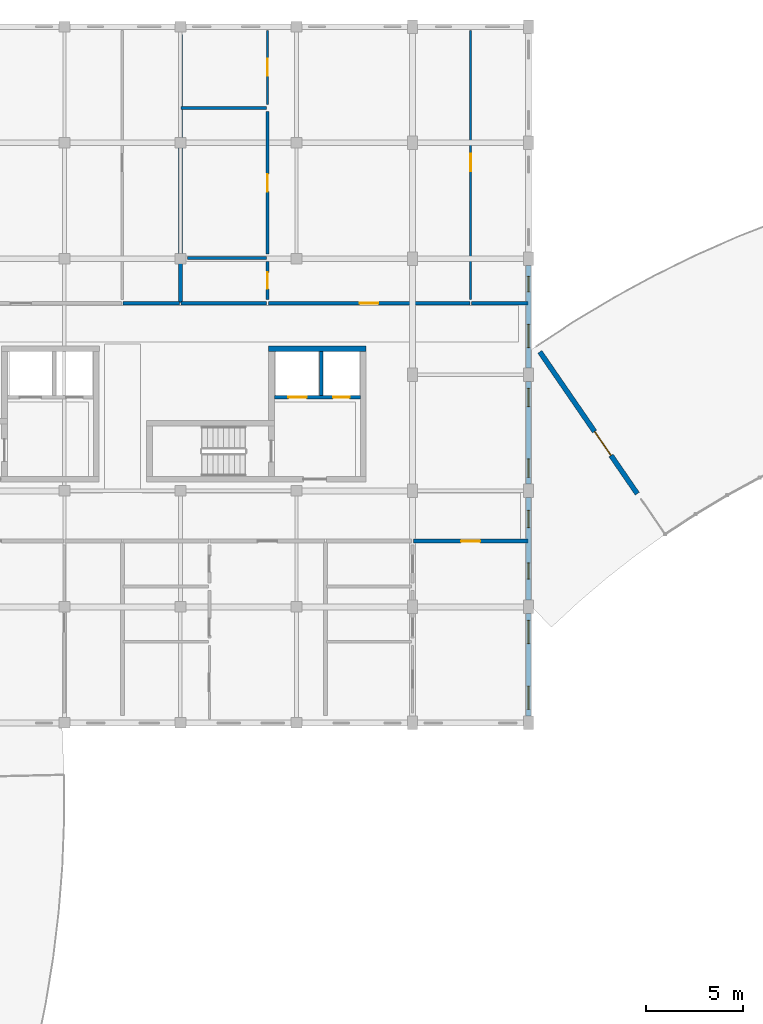
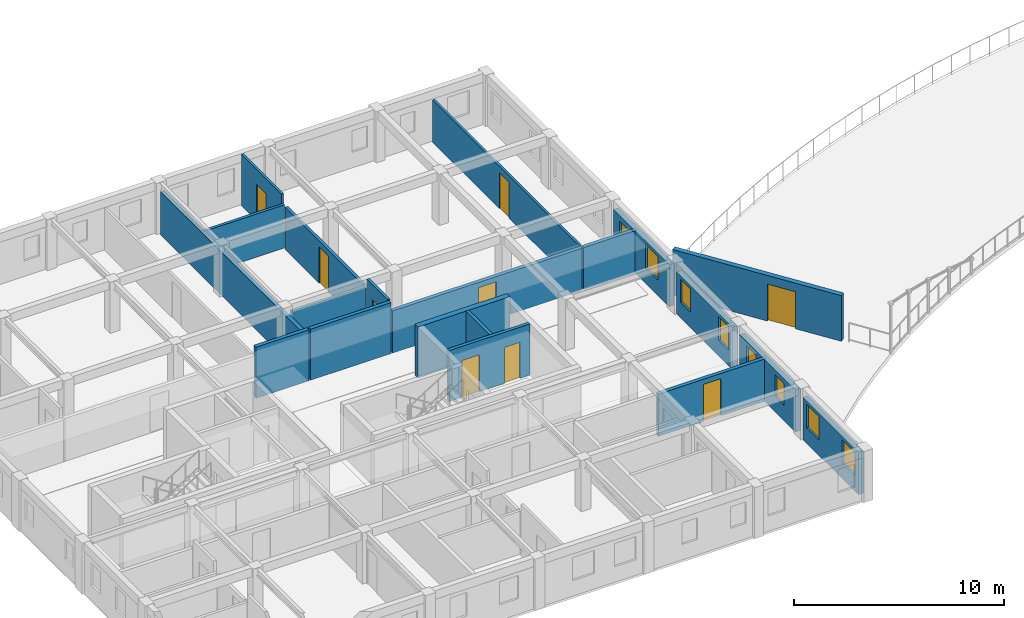
# One storey, part 37 of 58: 20 walls, 9 doors, 8 windows, 17 openings.
"""IFC4 building model written with IfcOpenShell, lengths in metres."""

from ifc_helpers import new_model, si_unit, direction, frame, frame_2d, origin, place, context, subcontext, project, spatial, rectangle, extrude, material, layer, layer_set, type_object, element, fill, save


model = new_model("IFC4")

# Units and contexts
model_context = context("Model", 3, precision=1e-05, world=origin(), true_north=direction((0.0, 1.0)))
body_context = subcontext(model_context, "Body", "Model", "MODEL_VIEW")
ifc_project = project(units=[si_unit("LENGTHUNIT", "METRE"), si_unit("AREAUNIT", "SQUARE_METRE"), si_unit("VOLUMEUNIT", "CUBIC_METRE"), si_unit("PLANEANGLEUNIT", "RADIAN"), si_unit("MASSUNIT", "GRAM", prefix="KILO"), si_unit("POWERUNIT", "WATT"), si_unit("THERMODYNAMICTEMPERATUREUNIT", "KELVIN")], contexts=[model_context])

# Site, building, storey
site_placement = place(None, origin())
site = spatial("IfcSite", under=ifc_project, at=site_placement, CompositionType="ELEMENT")
building_placement = place(site_placement, origin())
building = spatial("IfcBuilding", under=site, at=building_placement, Name="Ruvembo Vaulted Housing Court", CompositionType="ELEMENT")
storey_placement = place(building_placement, frame((0.0, 0.0, 20.5)))
storey = spatial("IfcBuildingStorey", under=building, at=storey_placement, Name="L06", CompositionType="ELEMENT", Elevation=20.5)

# Wall
ifc_material_1 = material(Name="Concrete C35/45", Category="concrete")
ifc_layer_1 = layer(ifc_material_1, 0.300048828125, Name="Concrete C35/45")
ifc_layer_set_1 = layer_set([ifc_layer_1], Name="Concrete C35/45")
wall_type_1 = type_object("IfcWallType", Name="WL-CORE-300", PredefinedType="SHEAR", material=ifc_layer_set_1)
wall_1_placement = place(storey_placement, frame((75.60009765625, 97.35009765625, 0.0), z_axis=(0.0, 0.0, 1.0), x_axis=(-1.0, 0.0, 0.0)))
element("IfcWall", 1, at=wall_1_placement, inside=storey, type_object=wall_type_1, Name="Core B2 L06 North Shear Wall", PredefinedType="SHEAR", context=body_context, shape_type="SweptSolid", body=[
    extrude(rectangle(XDim=5.050048828125, YDim=0.300048828125, at=frame_2d((2.52490234375, 0.0))), origin(), (0.0, 0.0, 1.0), 2.969970703125),
])

# Wall, opening, door
ifc_material_2 = material(Name="Concrete Blockwork 200", Category="masonry")
ifc_layer_2 = layer(ifc_material_2, 0.199951171875, Name="Concrete Blockwork 200")
ifc_layer_set_2 = layer_set([ifc_layer_2], Name="Concrete Blockwork 200")
wall_type_2 = type_object("IfcWallType", Name="WL-CORR-200", PredefinedType="SOLIDWALL", material=ifc_layer_set_2)
wall_2_placement = place(storey_placement, frame((78.0400390625, 87.39990234375, 0.0), z_axis=(0.0, 0.0, 1.0), x_axis=(1.0, 0.0, 0.0)))
wall_2 = element("IfcWall", 2, at=wall_2_placement, inside=storey, type_object=wall_type_2, Name="L06 Flat B-L06-S3 Entrance WL-INT-L06-01753", PredefinedType="SOLIDWALL", context=body_context, shape_type="SweptSolid", body=[
    extrude(rectangle(XDim=5.919921875, YDim=0.199951171875, at=frame_2d((2.9599609375, 0.0))), origin(), (0.0, 0.0, 1.0), 2.451904296875),
])
opening_1_placement = place(wall_2_placement, frame((2.469970703125, 0.0, 0.0)))
opening_1 = element("IfcOpeningElement", 3, at=opening_1_placement, cuts=wall_2, Name="Opening FD2", PredefinedType="OPENING", context=body_context, shape_type="SweptSolid", body=[
    extrude(rectangle(XDim=0.97998046875, YDim=2.14990234375, at=frame_2d((0.489990234375, 1.074951171875))), frame((0.0, 0.10986328125, 0.0), z_axis=(0.0, -1.0, 0.0), x_axis=(1.0, 0.0, 0.0)), (0.0, 0.0, 1.0), 0.219970703125),
])
ifc_material_3 = material(Name="FSC Hardwood and Engineered Timber", Category="wood")
door_type_1 = type_object("IfcDoorType", Name="DR-FLAT-0980x2150", OperationType="NOTDEFINED", PredefinedType="DOOR", material=ifc_material_3)
door_1_placement = place(opening_1_placement, origin())
door_1 = element("IfcDoor", 4, at=door_1_placement, inside=storey, type_object=door_type_1, Name="L06 Flat B-L06-S3 Entrance Door DR-INT-L06-00991", OperationType="SINGLE_SWING_LEFT", OverallHeight=2.14990234375, OverallWidth=0.97998046875, PredefinedType="DOOR", context=body_context, shape_type="SweptSolid", body=[
    extrude(rectangle(XDim=0.97998046875, YDim=2.14990234375, at=frame_2d((0.489990234375, 1.074951171875))), frame((0.0, 0.02490234375, 0.0), z_axis=(0.0, -1.0, 0.0), x_axis=(1.0, 0.0, 0.0)), (0.0, 0.0, 1.0), 0.050048828125),
])
fill(opening_1, door_1)

# Walls
wall_3_placement = place(storey_placement, frame((63.0400390625, 99.699951171875, 0.0), z_axis=(0.0, 0.0, 1.0), x_axis=(1.0, 0.0, 0.0)))
element("IfcWall", 5, at=wall_3_placement, inside=storey, type_object=wall_type_2, Name="L06 Flat B-L06-N1 Corridor Wall 2 WL-INT-L06-01767", PredefinedType="SOLIDWALL", context=body_context, shape_type="SweptSolid", body=[
    extrude(rectangle(XDim=2.919921875, YDim=0.199951171875, at=frame_2d((1.4599609375, 0.0))), origin(), (0.0, 0.0, 1.0), 2.969970703125),
])
wall_4_placement = place(storey_placement, frame((66.0400390625, 99.699951171875, 0.0), z_axis=(0.0, 0.0, 1.0), x_axis=(1.0, 0.0, 0.0)))
element("IfcWall", 6, at=wall_4_placement, inside=storey, type_object=wall_type_2, Name="L06 Flat B-L06-N2 Corridor Wall WL-INT-L06-01769", PredefinedType="SOLIDWALL", context=body_context, shape_type="SweptSolid", body=[
    extrude(rectangle(XDim=4.419921875, YDim=0.199951171875, at=frame_2d((2.2099609375, 0.0))), origin(), (0.0, 0.0, 1.0), 2.969970703125),
])

# Wall, opening, door
wall_5_placement = place(storey_placement, frame((70.5400390625, 99.699951171875, 0.0), z_axis=(0.0, 0.0, 1.0), x_axis=(1.0, 0.0, 0.0)))
wall_5 = element("IfcWall", 7, at=wall_5_placement, inside=storey, type_object=wall_type_2, Name="L06 Flat B-L06-N2 Entrance WL-INT-L06-01770", PredefinedType="SOLIDWALL", context=body_context, shape_type="SweptSolid", body=[
    extrude(rectangle(XDim=10.419921875, YDim=0.199951171875, at=frame_2d((5.2099609375, 0.0))), origin(), (0.0, 0.0, 1.0), 2.451904296875),
])
opening_2_placement = place(wall_5_placement, frame((4.719970703125, 0.0, 0.0)))
opening_2 = element("IfcOpeningElement", 8, at=opening_2_placement, cuts=wall_5, Name="Opening FD2", PredefinedType="OPENING", context=body_context, shape_type="SweptSolid", body=[
    extrude(rectangle(XDim=0.97998046875, YDim=2.14990234375, at=frame_2d((0.489990234375, 1.074951171875))), frame((0.0, 0.10986328125, 0.0), z_axis=(0.0, -1.0, 0.0), x_axis=(1.0, 0.0, 0.0)), (0.0, 0.0, 1.0), 0.219970703125),
])
door_2_placement = place(opening_2_placement, origin())
door_2 = element("IfcDoor", 9, at=door_2_placement, inside=storey, type_object=door_type_1, Name="L06 Flat B-L06-N2 Entrance Door DR-INT-L06-01000", OperationType="SINGLE_SWING_RIGHT", OverallHeight=2.14990234375, OverallWidth=0.97998046875, PredefinedType="DOOR", context=body_context, shape_type="SweptSolid", body=[
    extrude(rectangle(XDim=0.97998046875, YDim=2.14990234375, at=frame_2d((0.489990234375, 1.074951171875))), frame((0.0, 0.02490234375, 0.0), z_axis=(0.0, -1.0, 0.0), x_axis=(1.0, 0.0, 0.0)), (0.0, 0.0, 1.0), 0.050048828125),
])
fill(opening_2, door_2)

# Walls
wall_6_placement = place(storey_placement, frame((81.0400390625, 99.699951171875, 0.0), z_axis=(0.0, 0.0, 1.0), x_axis=(1.0, 0.0, 0.0)))
element("IfcWall", 10, at=wall_6_placement, inside=storey, type_object=wall_type_2, Name="L06 Flat B-L06-N2 Corridor Wall 2 WL-INT-L06-01776", PredefinedType="SOLIDWALL", context=body_context, shape_type="SweptSolid", body=[
    extrude(rectangle(XDim=2.919921875, YDim=0.199951171875, at=frame_2d((1.4599609375, 0.0))), origin(), (0.0, 0.0, 1.0), 2.451904296875),
])
ifc_material_4 = material(Name="Acoustic Masonry Demising 220", Category="masonry")
ifc_layer_3 = layer(ifc_material_4, 0.219970703125, Name="Acoustic Masonry Demising 220")
ifc_layer_set_3 = layer_set([ifc_layer_3], Name="Acoustic Masonry Demising 220")
wall_type_3 = type_object("IfcWallType", Name="WL-DEM-200", PredefinedType="SOLIDWALL", material=ifc_layer_set_3)
wall_7_placement = place(storey_placement, frame((66.0, 99.739990234375, 0.0), z_axis=(0.0, 0.0, 1.0), x_axis=(0.0, 1.0, 0.0)))
element("IfcWall", 11, at=wall_7_placement, inside=storey, type_object=wall_type_3, Name="L06 Demising B-L06-N1 WL-INT-L06-01759", PredefinedType="SOLIDWALL", context=body_context, shape_type="SweptSolid", body=[
    extrude(rectangle(XDim=13.8701171875, YDim=0.219970703125, at=frame_2d((6.93505859375, 0.0))), origin(), (0.0, 0.0, 1.0), 2.508056640625),
])

# Wall, opening, door
ifc_material_5 = material(Name="Rendered Masonry 260", Category="masonry")
ifc_layer_4 = layer(ifc_material_5, 0.260009765625, Name="Rendered Masonry 260")
ifc_layer_set_4 = layer_set([ifc_layer_4], Name="Rendered Masonry 260")
wall_type_4 = type_object("IfcWallType", Name="WL-EXT-260", PredefinedType="STANDARD", material=ifc_layer_set_4)
wall_8_placement = place(storey_placement, frame((89.62353515625, 89.85302734375, 0.0), z_axis=(0.0, 0.0, 1.0), x_axis=(-0.566193481596, 0.824272370881, 0.0)))
wall_8 = element("IfcWall", 12, at=wall_8_placement, inside=storey, type_object=wall_type_4, Name="Scoop SC3 L06 Terrace Threshold Wall", PredefinedType="STANDARD", context=body_context, shape_type="SweptSolid", body=[
    extrude(rectangle(XDim=8.89990234375, YDim=0.260009765625, at=frame_2d((4.449951171875, 0.0))), origin(), (0.0, 0.0, 1.0), 2.64990234375),
])
opening_3_placement = place(wall_8_placement, frame((2.39990234375, 0.0, 0.0)))
opening_3 = element("IfcOpeningElement", 13, at=opening_3_placement, cuts=wall_8, Name="Opening TD1", PredefinedType="OPENING", context=body_context, shape_type="SweptSolid", body=[
    extrude(rectangle(XDim=1.5, YDim=2.14990234375, at=frame_2d((0.75, 1.074951171875))), frame((0.0, 0.139892578125, 0.0), z_axis=(0.0, -1.0, 0.0), x_axis=(1.0, 0.0, 0.0)), (0.0, 0.0, 1.0), 0.280029296875),
])
ifc_material_6 = material(Name="Thermally Broken Glazed Aluminium", Category="aluminium")
door_type_2 = type_object("IfcDoorType", Name="DR-TER-1500x2150", OperationType="NOTDEFINED", PredefinedType="DOOR", material=ifc_material_6)
door_3_placement = place(opening_3_placement, origin())
door_3 = element("IfcDoor", 14, at=door_3_placement, inside=storey, type_object=door_type_2, Name="Scoop SC3 L06 Roof Terrace Access Door", OperationType="SINGLE_SWING_RIGHT", OverallHeight=2.14990234375, OverallWidth=1.5, PredefinedType="DOOR", context=body_context, shape_type="SweptSolid", body=[
    extrude(rectangle(XDim=1.5, YDim=2.14990234375, at=frame_2d((0.75, 1.074951171875))), frame((0.0, 0.02490234375, 0.0), z_axis=(0.0, -1.0, 0.0), x_axis=(1.0, 0.0, 0.0)), (0.0, 0.0, 1.0), 0.050048828125),
])
fill(opening_3, door_3)

# Wall, openings, windows
ifc_material_7 = material(Name="Rendered Masonry 270", Category="masonry")
ifc_layer_5 = layer(ifc_material_7, 0.27001953125, Name="Rendered Masonry 270")
ifc_layer_set_5 = layer_set([ifc_layer_5], Name="Rendered Masonry 270")
wall_type_5 = type_object("IfcWallType", Name="WL-EXT-270", PredefinedType="STANDARD", material=ifc_layer_set_5)
wall_9_placement = place(storey_placement, frame((84.0, 78.35009765625, 0.0), z_axis=(0.0, 0.0, 1.0), x_axis=(0.0, 1.0, 0.0)))
wall_9 = element("IfcWall", 15, at=wall_9_placement, inside=storey, type_object=wall_type_5, Name="Block B L06 Exterior Wall EAST #1", PredefinedType="STANDARD", context=body_context, shape_type="SweptSolid", body=[
    extrude(rectangle(XDim=5.2998046875, YDim=0.27001953125, at=frame_2d((2.64990234375, 0.0))), origin(), (0.0, 0.0, 1.0), 2.451904296875),
])
opening_4_placement = place(wall_9_placement, frame((0.35009765625, 0.0, 0.89990234375)))
opening_4 = element("IfcOpeningElement", 16, at=opening_4_placement, cuts=wall_9, Name="Opening W12", PredefinedType="OPENING", context=body_context, shape_type="SweptSolid", body=[
    extrude(rectangle(XDim=1.199951171875, YDim=1.35009765625, at=frame_2d((0.60009765625, 0.675048828125))), frame((0.0, 0.14501953125, 0.0), z_axis=(0.0, -1.0, 0.0), x_axis=(1.0, 0.0, 0.0)), (0.0, 0.0, 1.0), 0.2900390625),
])
opening_5_placement = place(wall_9_placement, frame((3.75, 0.0, 0.89990234375)))
opening_5 = element("IfcOpeningElement", 17, at=opening_5_placement, cuts=wall_9, Name="Opening W12", PredefinedType="OPENING", context=body_context, shape_type="SweptSolid", body=[
    extrude(rectangle(XDim=1.199951171875, YDim=1.35009765625, at=frame_2d((0.60009765625, 0.675048828125))), frame((0.0, 0.14501953125, 0.0), z_axis=(0.0, -1.0, 0.0), x_axis=(1.0, 0.0, 0.0)), (0.0, 0.0, 1.0), 0.2900390625),
])
ifc_material_8 = material(Name="Double Solar-Control Glazing in Aluminium Frame", Category="aluminium")
window_type_1 = type_object("IfcWindowType", Name="WIN-1200x1350", PartitioningType="SINGLE_PANEL", PredefinedType="WINDOW", material=ifc_material_8)
window_1_placement = place(opening_4_placement, origin())
window_1 = element("IfcWindow", 18, at=window_1_placement, inside=storey, type_object=window_type_1, Name="Block B L06 Window #869", OverallHeight=1.35009765625, OverallWidth=1.199951171875, PartitioningType="SINGLE_PANEL", PredefinedType="WINDOW", context=body_context, shape_type="SweptSolid", body=[
    extrude(rectangle(XDim=1.199951171875, YDim=1.35009765625, at=frame_2d((0.60009765625, 0.675048828125))), frame((0.0, 0.030029296875, 0.0), z_axis=(0.0, -1.0, 0.0), x_axis=(1.0, 0.0, 0.0)), (0.0, 0.0, 1.0), 0.06005859375),
])
fill(opening_4, window_1)
window_2_placement = place(opening_5_placement, origin())
window_2 = element("IfcWindow", 19, at=window_2_placement, inside=storey, type_object=window_type_1, Name="Block B L06 Window #870", OverallHeight=1.35009765625, OverallWidth=1.199951171875, PartitioningType="SINGLE_PANEL", PredefinedType="WINDOW", context=body_context, shape_type="SweptSolid", body=[
    extrude(rectangle(XDim=1.199951171875, YDim=1.35009765625, at=frame_2d((0.60009765625, 0.675048828125))), frame((0.0, 0.030029296875, 0.0), z_axis=(0.0, -1.0, 0.0), x_axis=(1.0, 0.0, 0.0)), (0.0, 0.0, 1.0), 0.06005859375),
])
fill(opening_5, window_2)

wall_10_placement = place(storey_placement, frame((84.0, 84.35009765625, 0.0), z_axis=(0.0, 0.0, 1.0), x_axis=(0.0, 1.0, 0.0)))
wall_10 = element("IfcWall", 20, at=wall_10_placement, inside=storey, type_object=wall_type_5, Name="Block B L06 Exterior Wall EAST #2", PredefinedType="STANDARD", context=body_context, shape_type="SweptSolid", body=[
    extrude(rectangle(XDim=5.2998046875, YDim=0.27001953125, at=frame_2d((2.64990234375, 0.0))), origin(), (0.0, 0.0, 1.0), 2.451904296875),
])
opening_6_placement = place(wall_10_placement, frame((1.080078125, 0.0, 0.89990234375)))
opening_6 = element("IfcOpeningElement", 21, at=opening_6_placement, cuts=wall_10, Name="Opening W03", PredefinedType="OPENING", context=body_context, shape_type="SweptSolid", body=[
    extrude(rectangle(XDim=0.85009765625, YDim=1.25, at=frame_2d((0.425048828125, 0.625))), frame((0.0, 0.14501953125, 0.0), z_axis=(0.0, -1.0, 0.0), x_axis=(1.0, 0.0, 0.0)), (0.0, 0.0, 1.0), 0.2900390625),
])
opening_7_placement = place(wall_10_placement, frame((3.7451171875, 0.0, 0.89990234375)))
opening_7 = element("IfcOpeningElement", 22, at=opening_7_placement, cuts=wall_10, Name="Opening W04", PredefinedType="OPENING", context=body_context, shape_type="SweptSolid", body=[
    extrude(rectangle(XDim=0.89990234375, YDim=1.300048828125, at=frame_2d((0.449951171875, 0.64990234375))), frame((0.0, 0.14501953125, 0.0), z_axis=(0.0, -1.0, 0.0), x_axis=(1.0, 0.0, 0.0)), (0.0, 0.0, 1.0), 0.2900390625),
])
window_type_2 = type_object("IfcWindowType", Name="WIN-0850x1250", PartitioningType="SINGLE_PANEL", PredefinedType="WINDOW", material=ifc_material_8)
window_3_placement = place(opening_6_placement, origin())
window_3 = element("IfcWindow", 23, at=window_3_placement, inside=storey, type_object=window_type_2, Name="Block B L06 Window #871", OverallHeight=1.25, OverallWidth=0.85009765625, PartitioningType="SINGLE_PANEL", PredefinedType="WINDOW", context=body_context, shape_type="SweptSolid", body=[
    extrude(rectangle(XDim=0.85009765625, YDim=1.25, at=frame_2d((0.425048828125, 0.625))), frame((0.0, 0.030029296875, 0.0), z_axis=(0.0, -1.0, 0.0), x_axis=(1.0, 0.0, 0.0)), (0.0, 0.0, 1.0), 0.06005859375),
])
fill(opening_6, window_3)
window_type_3 = type_object("IfcWindowType", Name="WIN-0900x1300", PartitioningType="SINGLE_PANEL", PredefinedType="WINDOW", material=ifc_material_8)
window_4_placement = place(opening_7_placement, origin())
window_4 = element("IfcWindow", 24, at=window_4_placement, inside=storey, type_object=window_type_3, Name="Block B L06 Window #872", OverallHeight=1.300048828125, OverallWidth=0.89990234375, PartitioningType="SINGLE_PANEL", PredefinedType="WINDOW", context=body_context, shape_type="SweptSolid", body=[
    extrude(rectangle(XDim=0.89990234375, YDim=1.300048828125, at=frame_2d((0.449951171875, 0.64990234375))), frame((0.0, 0.030029296875, 0.0), z_axis=(0.0, -1.0, 0.0), x_axis=(1.0, 0.0, 0.0)), (0.0, 0.0, 1.0), 0.06005859375),
])
fill(opening_7, window_4)

wall_11_placement = place(storey_placement, frame((84.0, 90.35009765625, 0.0), z_axis=(0.0, 0.0, 1.0), x_axis=(0.0, 1.0, 0.0)))
wall_11 = element("IfcWall", 25, at=wall_11_placement, inside=storey, type_object=wall_type_5, Name="Block B L06 Exterior Wall EAST #3", PredefinedType="STANDARD", context=body_context, shape_type="SweptSolid", body=[
    extrude(rectangle(XDim=5.2998046875, YDim=0.27001953125, at=frame_2d((2.64990234375, 0.0))), origin(), (0.0, 0.0, 1.0), 2.451904296875),
])
opening_8_placement = place(wall_11_placement, frame((0.35009765625, 0.0, 0.89990234375)))
opening_8 = element("IfcOpeningElement", 26, at=opening_8_placement, cuts=wall_11, Name="Opening W07", PredefinedType="OPENING", context=body_context, shape_type="SweptSolid", body=[
    extrude(rectangle(XDim=0.949951171875, YDim=1.35009765625, at=frame_2d((0.47509765625, 0.675048828125))), frame((0.0, 0.14501953125, 0.0), z_axis=(0.0, -1.0, 0.0), x_axis=(1.0, 0.0, 0.0)), (0.0, 0.0, 1.0), 0.2900390625),
])
opening_9_placement = place(wall_11_placement, frame((4.0, 0.0, 0.89990234375)))
opening_9 = element("IfcOpeningElement", 27, at=opening_9_placement, cuts=wall_11, Name="Opening W07", PredefinedType="OPENING", context=body_context, shape_type="SweptSolid", body=[
    extrude(rectangle(XDim=0.949951171875, YDim=1.35009765625, at=frame_2d((0.47509765625, 0.675048828125))), frame((0.0, 0.14501953125, 0.0), z_axis=(0.0, -1.0, 0.0), x_axis=(1.0, 0.0, 0.0)), (0.0, 0.0, 1.0), 0.2900390625),
])
window_type_4 = type_object("IfcWindowType", Name="WIN-0950x1350", PartitioningType="SINGLE_PANEL", PredefinedType="WINDOW", material=ifc_material_8)
window_5_placement = place(opening_8_placement, origin())
window_5 = element("IfcWindow", 28, at=window_5_placement, inside=storey, type_object=window_type_4, Name="Block B L06 Window #873", OverallHeight=1.35009765625, OverallWidth=0.949951171875, PartitioningType="SINGLE_PANEL", PredefinedType="WINDOW", context=body_context, shape_type="SweptSolid", body=[
    extrude(rectangle(XDim=0.949951171875, YDim=1.35009765625, at=frame_2d((0.47509765625, 0.675048828125))), frame((0.0, 0.030029296875, 0.0), z_axis=(0.0, -1.0, 0.0), x_axis=(1.0, 0.0, 0.0)), (0.0, 0.0, 1.0), 0.06005859375),
])
fill(opening_8, window_5)
window_6_placement = place(opening_9_placement, origin())
window_6 = element("IfcWindow", 29, at=window_6_placement, inside=storey, type_object=window_type_4, Name="Block B L06 Window #874", OverallHeight=1.35009765625, OverallWidth=0.949951171875, PartitioningType="SINGLE_PANEL", PredefinedType="WINDOW", context=body_context, shape_type="SweptSolid", body=[
    extrude(rectangle(XDim=0.949951171875, YDim=1.35009765625, at=frame_2d((0.47509765625, 0.675048828125))), frame((0.0, 0.030029296875, 0.0), z_axis=(0.0, -1.0, 0.0), x_axis=(1.0, 0.0, 0.0)), (0.0, 0.0, 1.0), 0.06005859375),
])
fill(opening_9, window_6)

wall_12_placement = place(storey_placement, frame((84.0, 96.35009765625, 0.0), z_axis=(0.0, 0.0, 1.0), x_axis=(0.0, 1.0, 0.0)))
wall_12 = element("IfcWall", 30, at=wall_12_placement, inside=storey, type_object=wall_type_5, Name="Block B L06 Exterior Wall EAST #4", PredefinedType="STANDARD", context=body_context, shape_type="SweptSolid", body=[
    extrude(rectangle(XDim=5.2998046875, YDim=0.27001953125, at=frame_2d((2.64990234375, 0.0))), origin(), (0.0, 0.0, 1.0), 2.451904296875),
])
opening_10_placement = place(wall_12_placement, frame((1.054931640625, 0.0, 0.89990234375)))
opening_10 = element("IfcOpeningElement", 31, at=opening_10_placement, cuts=wall_12, Name="Opening W12", PredefinedType="OPENING", context=body_context, shape_type="SweptSolid", body=[
    extrude(rectangle(XDim=1.199951171875, YDim=1.35009765625, at=frame_2d((0.60009765625, 0.675048828125))), frame((0.0, 0.14501953125, 0.0), z_axis=(0.0, -1.0, 0.0), x_axis=(1.0, 0.0, 0.0)), (0.0, 0.0, 1.0), 0.2900390625),
])
opening_11_placement = place(wall_12_placement, frame((3.945068359375, 0.0, 0.89990234375)))
opening_11 = element("IfcOpeningElement", 32, at=opening_11_placement, cuts=wall_12, Name="Opening W02", PredefinedType="OPENING", context=body_context, shape_type="SweptSolid", body=[
    extrude(rectangle(XDim=0.800048828125, YDim=1.199951171875, at=frame_2d((0.39990234375, 0.60009765625))), frame((0.0, 0.14501953125, 0.0), z_axis=(0.0, -1.0, 0.0), x_axis=(1.0, 0.0, 0.0)), (0.0, 0.0, 1.0), 0.2900390625),
])
window_type_5 = type_object("IfcWindowType", Name="WIN-0800x1200", PartitioningType="SINGLE_PANEL", PredefinedType="WINDOW", material=ifc_material_8)
window_7_placement = place(opening_11_placement, origin())
window_7 = element("IfcWindow", 33, at=window_7_placement, inside=storey, type_object=window_type_5, Name="Block B L06 Window #876", OverallHeight=1.199951171875, OverallWidth=0.800048828125, PartitioningType="SINGLE_PANEL", PredefinedType="WINDOW", context=body_context, shape_type="SweptSolid", body=[
    extrude(rectangle(XDim=0.800048828125, YDim=1.199951171875, at=frame_2d((0.39990234375, 0.60009765625))), frame((0.0, 0.030029296875, 0.0), z_axis=(0.0, -1.0, 0.0), x_axis=(1.0, 0.0, 0.0)), (0.0, 0.0, 1.0), 0.06005859375),
])
fill(opening_11, window_7)
window_8_placement = place(opening_10_placement, origin())
window_8 = element("IfcWindow", 34, at=window_8_placement, inside=storey, type_object=window_type_1, Name="Block B L06 Window #875", OverallHeight=1.35009765625, OverallWidth=1.199951171875, PartitioningType="SINGLE_PANEL", PredefinedType="WINDOW", context=body_context, shape_type="SweptSolid", body=[
    extrude(rectangle(XDim=1.199951171875, YDim=1.35009765625, at=frame_2d((0.60009765625, 0.675048828125))), frame((0.0, 0.030029296875, 0.0), z_axis=(0.0, -1.0, 0.0), x_axis=(1.0, 0.0, 0.0)), (0.0, 0.0, 1.0), 0.06005859375),
])
fill(opening_10, window_8)

# Wall, opening, door
ifc_material_9 = material(Name="Plasterboard Stud Partition 125", Category="gypsum")
ifc_layer_6 = layer(ifc_material_9, 0.125, Name="Plasterboard Stud Partition 125")
ifc_layer_set_6 = layer_set([ifc_layer_6], Name="Plasterboard Stud Partition 125")
wall_type_6 = type_object("IfcWallType", Name="WL-PART-125", PredefinedType="PARTITIONING", material=ifc_layer_set_6)
wall_13_placement = place(storey_placement, frame((70.5, 109.989990234375, 0.0), z_axis=(0.0, 0.0, 1.0), x_axis=(0.0, 1.0, 0.0)))
wall_13 = element("IfcWall", 35, at=wall_13_placement, inside=storey, type_object=wall_type_6, Name="L06 Flat B-L06-N2 Bedroom 1 WL-INT-L06-01771", PredefinedType="PARTITIONING", context=body_context, shape_type="SweptSolid", body=[
    extrude(rectangle(XDim=3.820068359375, YDim=0.125, at=frame_2d((1.91015625, 0.0))), origin(), (0.0, 0.0, 1.0), 2.969970703125),
])
opening_12_placement = place(wall_13_placement, frame((1.469970703125, 0.0, 0.0)))
opening_12 = element("IfcOpeningElement", 36, at=opening_12_placement, cuts=wall_13, Name="Opening ID3", PredefinedType="OPENING", context=body_context, shape_type="SweptSolid", body=[
    extrude(rectangle(XDim=0.8798828125, YDim=2.10009765625, at=frame_2d((0.43994140625, 1.050048828125))), frame((0.0, 0.072509765625, 0.0), z_axis=(0.0, -1.0, 0.0), x_axis=(1.0, 0.0, 0.0)), (0.0, 0.0, 1.0), 0.14501953125),
])
door_type_3 = type_object("IfcDoorType", Name="DR-ROOM-0880x2100", OperationType="NOTDEFINED", PredefinedType="DOOR", material=ifc_material_3)
door_4_placement = place(opening_12_placement, origin())
door_4 = element("IfcDoor", 37, at=door_4_placement, inside=storey, type_object=door_type_3, Name="L06 Flat B-L06-N2 Bedroom 1 Door DR-INT-L06-01001", OperationType="SINGLE_SWING_LEFT", OverallHeight=2.10009765625, OverallWidth=0.8798828125, PredefinedType="DOOR", context=body_context, shape_type="SweptSolid", body=[
    extrude(rectangle(XDim=0.8798828125, YDim=2.10009765625, at=frame_2d((0.43994140625, 1.050048828125))), frame((0.0, 0.02490234375, 0.0), z_axis=(0.0, -1.0, 0.0), x_axis=(1.0, 0.0, 0.0)), (0.0, 0.0, 1.0), 0.050048828125),
])
fill(opening_12, door_4)

wall_14_placement = place(storey_placement, frame((81.0, 99.889892578125, 0.0), z_axis=(0.0, 0.0, 1.0), x_axis=(0.0, 1.0, 0.0)))
wall_14 = element("IfcWall", 38, at=wall_14_placement, inside=storey, type_object=wall_type_6, Name="L06 Flat B-L06-N2 Bedroom 2 WL-INT-L06-01777", PredefinedType="PARTITIONING", context=body_context, shape_type="SweptSolid", body=[
    extrude(rectangle(XDim=13.920166015625, YDim=0.125, at=frame_2d((6.9599609375, 0.0))), origin(), (0.0, 0.0, 1.0), 2.451904296875),
])
opening_13_placement = place(wall_14_placement, frame((6.64990234375, 0.0, 0.0)))
opening_13 = element("IfcOpeningElement", 39, at=opening_13_placement, cuts=wall_14, Name="Opening ID1", PredefinedType="OPENING", context=body_context, shape_type="SweptSolid", body=[
    extrude(rectangle(XDim=0.89990234375, YDim=2.10009765625, at=frame_2d((0.449951171875, 1.050048828125))), frame((0.0, 0.072509765625, 0.0), z_axis=(0.0, -1.0, 0.0), x_axis=(1.0, 0.0, 0.0)), (0.0, 0.0, 1.0), 0.14501953125),
])
door_type_4 = type_object("IfcDoorType", Name="DR-ROOM-0900x2100", OperationType="NOTDEFINED", PredefinedType="DOOR", material=ifc_material_3)
door_5_placement = place(opening_13_placement, origin())
door_5 = element("IfcDoor", 40, at=door_5_placement, inside=storey, type_object=door_type_4, Name="L06 Flat B-L06-N2 Bedroom 2 Door DR-INT-L06-01004", OperationType="SINGLE_SWING_RIGHT", OverallHeight=2.10009765625, OverallWidth=0.89990234375, PredefinedType="DOOR", context=body_context, shape_type="SweptSolid", body=[
    extrude(rectangle(XDim=0.89990234375, YDim=2.10009765625, at=frame_2d((0.449951171875, 1.050048828125))), frame((0.0, 0.02490234375, 0.0), z_axis=(0.0, -1.0, 0.0), x_axis=(1.0, 0.0, 0.0)), (0.0, 0.0, 1.0), 0.050048828125),
])
fill(opening_13, door_5)

ifc_material_10 = material(Name="Moisture-Resistant Wet Partition 150", Category="gypsum")
ifc_layer_7 = layer(ifc_material_10, 0.14990234375, Name="Moisture-Resistant Wet Partition 150")
ifc_layer_set_7 = layer_set([ifc_layer_7], Name="Moisture-Resistant Wet Partition 150")
wall_type_7 = type_object("IfcWallType", Name="WL-PART-150", PredefinedType="PARTITIONING", material=ifc_layer_set_7)
wall_15_placement = place(storey_placement, frame((70.5, 99.889892578125, 0.0), z_axis=(0.0, 0.0, 1.0), x_axis=(0.0, 1.0, 0.0)))
wall_15 = element("IfcWall", 41, at=wall_15_placement, inside=storey, type_object=wall_type_7, Name="L06 Flat B-L06-N2 Bathroom WL-INT-L06-01773", PredefinedType="PARTITIONING", context=body_context, shape_type="SweptSolid", body=[
    extrude(rectangle(XDim=1.97021484375, YDim=0.14990234375, at=frame_2d((0.985107421875, 0.0))), origin(), (0.0, 0.0, 1.0), 2.969970703125),
])
opening_14_placement = place(wall_15_placement, frame((0.56005859375, 0.0, 0.0)))
opening_14 = element("IfcOpeningElement", 42, at=opening_14_placement, cuts=wall_15, Name="Opening ID2", PredefinedType="OPENING", context=body_context, shape_type="SweptSolid", body=[
    extrude(rectangle(XDim=0.85009765625, YDim=2.10009765625, at=frame_2d((0.425048828125, 1.050048828125))), frame((0.0, 0.0849609375, 0.0), z_axis=(0.0, -1.0, 0.0), x_axis=(1.0, 0.0, 0.0)), (0.0, 0.0, 1.0), 0.169921875),
])
door_type_5 = type_object("IfcDoorType", Name="DR-WET-0850x2100", OperationType="NOTDEFINED", PredefinedType="DOOR", material=ifc_material_3)
door_6_placement = place(opening_14_placement, origin())
door_6 = element("IfcDoor", 43, at=door_6_placement, inside=storey, type_object=door_type_5, Name="L06 Flat B-L06-N2 Bathroom Door DR-INT-L06-01003", OperationType="SINGLE_SWING_LEFT", OverallHeight=2.10009765625, OverallWidth=0.85009765625, PredefinedType="DOOR", context=body_context, shape_type="SweptSolid", body=[
    extrude(rectangle(XDim=0.85009765625, YDim=2.10009765625, at=frame_2d((0.425048828125, 1.050048828125))), frame((0.0, 0.02490234375, 0.0), z_axis=(0.0, -1.0, 0.0), x_axis=(1.0, 0.0, 0.0)), (0.0, 0.0, 1.0), 0.050048828125),
])
fill(opening_14, door_6)

# Walls
wall_16_placement = place(storey_placement, frame((66.0400390625, 109.800048828125, 0.0), z_axis=(0.0, 0.0, 1.0), x_axis=(1.0, 0.0, 0.0)))
element("IfcWall", 44, at=wall_16_placement, inside=storey, type_object=wall_type_7, Name="L06 Flat B-L06-N2 Wet Wall 1 WL-INT-L06-01774", PredefinedType="PARTITIONING", context=body_context, shape_type="SweptSolid", body=[
    extrude(rectangle(XDim=4.419921875, YDim=0.14990234375, at=frame_2d((2.2099609375, 0.0))), origin(), (0.0, 0.0, 1.0), 2.508056640625),
])
wall_17_placement = place(storey_placement, frame((66.360107421875, 102.050048828125, 0.0), z_axis=(0.0, 0.0, 1.0), x_axis=(1.0, 0.0, 0.0)))
element("IfcWall", 45, at=wall_17_placement, inside=storey, type_object=wall_type_7, Name="L06 Flat B-L06-N2 Wet Wall 2 WL-INT-L06-01775", PredefinedType="PARTITIONING", context=body_context, shape_type="SweptSolid", body=[
    extrude(rectangle(XDim=4.099853515625, YDim=0.14990234375, at=frame_2d((2.0498046875, 0.0))), origin(), (0.0, 0.0, 1.0), 2.451904296875),
])

# Wall, opening, door
ifc_material_11 = material(Name="Acoustic Service Chase Wall 160", Category="gypsum")
ifc_layer_8 = layer(ifc_material_11, 0.159912109375, Name="Acoustic Service Chase Wall 160")
ifc_layer_set_8 = layer_set([ifc_layer_8], Name="Acoustic Service Chase Wall 160")
wall_type_8 = type_object("IfcWallType", Name="WL-PLUMB-160", PredefinedType="PLUMBINGWALL", material=ifc_layer_set_8)
wall_18_placement = place(storey_placement, frame((70.5, 102.239990234375, 0.0), z_axis=(0.0, 0.0, 1.0), x_axis=(0.0, 1.0, 0.0)))
wall_18 = element("IfcWall", 46, at=wall_18_placement, inside=storey, type_object=wall_type_8, Name="L06 Flat B-L06-N2 Kitchen WL-INT-L06-01772", PredefinedType="PLUMBINGWALL", context=body_context, shape_type="SweptSolid", body=[
    extrude(rectangle(XDim=7.3701171875, YDim=0.159912109375, at=frame_2d((3.68505859375, 0.0))), origin(), (0.0, 0.0, 1.0), 2.451904296875),
])
opening_15_placement = place(wall_18_placement, frame((3.235107421875, 0.0, 0.0)))
opening_15 = element("IfcOpeningElement", 47, at=opening_15_placement, cuts=wall_18, Name="Opening ID1", PredefinedType="OPENING", context=body_context, shape_type="SweptSolid", body=[
    extrude(rectangle(XDim=0.89990234375, YDim=2.10009765625, at=frame_2d((0.449951171875, 1.050048828125))), frame((0.0, 0.08984375, 0.0), z_axis=(0.0, -1.0, 0.0), x_axis=(1.0, 0.0, 0.0)), (0.0, 0.0, 1.0), 0.179931640625),
])
door_7_placement = place(opening_15_placement, origin())
door_7 = element("IfcDoor", 48, at=door_7_placement, inside=storey, type_object=door_type_4, Name="L06 Flat B-L06-N2 Kitchen Door DR-INT-L06-01002", OperationType="SINGLE_SWING_RIGHT", OverallHeight=2.10009765625, OverallWidth=0.89990234375, PredefinedType="DOOR", context=body_context, shape_type="SweptSolid", body=[
    extrude(rectangle(XDim=0.89990234375, YDim=2.10009765625, at=frame_2d((0.449951171875, 1.050048828125))), frame((0.0, 0.02490234375, 0.0), z_axis=(0.0, -1.0, 0.0), x_axis=(1.0, 0.0, 0.0)), (0.0, 0.0, 1.0), 0.050048828125),
])
fill(opening_15, door_7)

# Wall, openings, doors
ifc_material_12 = material(Name="Fire-Rated Masonry Shaft 180", Category="masonry")
ifc_layer_9 = layer(ifc_material_12, 0.179931640625, Name="Fire-Rated Masonry Shaft 180")
ifc_layer_set_9 = layer_set([ifc_layer_9], Name="Fire-Rated Masonry Shaft 180")
wall_type_9 = type_object("IfcWallType", Name="WL-SHAFT-180", PredefinedType="SOLIDWALL", material=ifc_layer_set_9)
wall_19_placement = place(storey_placement, frame((70.85009765625, 94.85009765625, 0.0), z_axis=(0.0, 0.0, 1.0), x_axis=(1.0, 0.0, 0.0)))
wall_19 = element("IfcWall", 49, at=wall_19_placement, inside=storey, type_object=wall_type_9, Name="Core B2 L06 Lift and Riser Front Wall", PredefinedType="SOLIDWALL", context=body_context, shape_type="SweptSolid", body=[
    extrude(rectangle(XDim=4.449951171875, YDim=0.179931640625, at=frame_2d((2.22509765625, 0.0))), origin(), (0.0, 0.0, 1.0), 2.969970703125),
])
opening_16_placement = place(wall_19_placement, frame((0.72509765625, 0.0, 0.0)))
opening_16 = element("IfcOpeningElement", 50, at=opening_16_placement, cuts=wall_19, Name="Opening LD-LP-B2-L06", PredefinedType="OPENING", context=body_context, shape_type="SweptSolid", body=[
    extrude(rectangle(XDim=0.949951171875, YDim=2.14990234375, at=frame_2d((0.47509765625, 1.074951171875))), frame((0.0, 0.099853515625, 0.0), z_axis=(0.0, -1.0, 0.0), x_axis=(1.0, 0.0, 0.0)), (0.0, 0.0, 1.0), 0.199951171875),
])
opening_17_placement = place(wall_19_placement, frame((3.050048828125, 0.0, 0.0)))
opening_17 = element("IfcOpeningElement", 51, at=opening_17_placement, cuts=wall_19, Name="Opening RD1", PredefinedType="OPENING", context=body_context, shape_type="SweptSolid", body=[
    extrude(rectangle(XDim=0.85009765625, YDim=2.10009765625, at=frame_2d((0.425048828125, 1.050048828125))), frame((0.0, 0.099853515625, 0.0), z_axis=(0.0, -1.0, 0.0), x_axis=(1.0, 0.0, 0.0)), (0.0, 0.0, 1.0), 0.199951171875),
])
ifc_material_13 = material(Name="Brushed Stainless Steel 304", Category="steel")
door_type_6 = type_object("IfcDoorType", Name="DR-LIFT-0950x2150", OperationType="NOTDEFINED", PredefinedType="DOOR", material=ifc_material_13)
door_8_placement = place(opening_16_placement, origin())
door_8 = element("IfcDoor", 52, at=door_8_placement, inside=storey, type_object=door_type_6, Name="Lift LP-B2 L06 Sliding Landing Door", OperationType="SLIDING_TO_LEFT", OverallHeight=2.14990234375, OverallWidth=0.949951171875, PredefinedType="DOOR", context=body_context, shape_type="SweptSolid", body=[
    extrude(rectangle(XDim=0.949951171875, YDim=2.14990234375, at=frame_2d((0.47509765625, 1.074951171875))), frame((0.0, 0.02490234375, 0.0), z_axis=(0.0, -1.0, 0.0), x_axis=(1.0, 0.0, 0.0)), (0.0, 0.0, 1.0), 0.050048828125),
])
fill(opening_16, door_8)
ifc_material_14 = material(Name="Galvanised Painted Steel", Category="steel")
door_type_7 = type_object("IfcDoorType", Name="DR-RISER-0850x2100", OperationType="NOTDEFINED", PredefinedType="DOOR", material=ifc_material_14)
door_9_placement = place(opening_17_placement, frame((0.85009765625, 0.0, 0.0), z_axis=(0.0, 0.0, 1.0), x_axis=(-1.0, 0.0, 0.0)))
door_9 = element("IfcDoor", 53, at=door_9_placement, inside=storey, type_object=door_type_7, Name="Core B2 L06 Service Riser Door", OperationType="SINGLE_SWING_LEFT", OverallHeight=2.10009765625, OverallWidth=0.85009765625, PredefinedType="DOOR", context=body_context, shape_type="SweptSolid", body=[
    extrude(rectangle(XDim=0.85009765625, YDim=2.10009765625, at=frame_2d((0.425048828125, 1.050048828125))), frame((0.0, 0.02490234375, 0.0), z_axis=(0.0, -1.0, 0.0), x_axis=(1.0, 0.0, 0.0)), (0.0, 0.0, 1.0), 0.050048828125),
])
fill(opening_17, door_9)

# Wall
wall_20_placement = place(storey_placement, frame((73.27001953125, 94.93994140625, 0.0), z_axis=(0.0, 0.0, 1.0), x_axis=(0.0, 1.0, 0.0)))
element("IfcWall", 54, at=wall_20_placement, inside=storey, type_object=wall_type_9, Name="Core B2 L06 Shaft-Riser Divider Wall", PredefinedType="SOLIDWALL", context=body_context, shape_type="SweptSolid", body=[
    extrude(rectangle(XDim=2.260009765625, YDim=0.179931640625, at=frame_2d((1.1298828125, 0.0))), origin(), (0.0, 0.0, 1.0), 2.969970703125),
])

save(model, "model.ifc")
